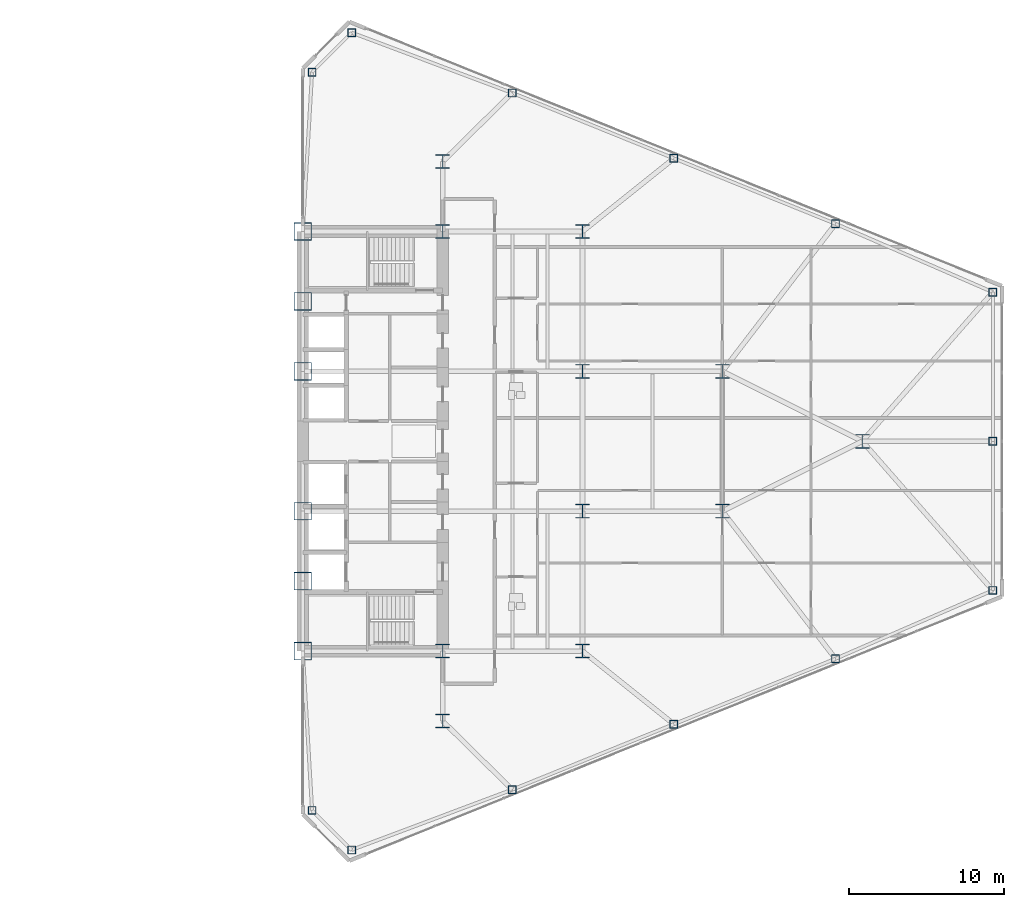
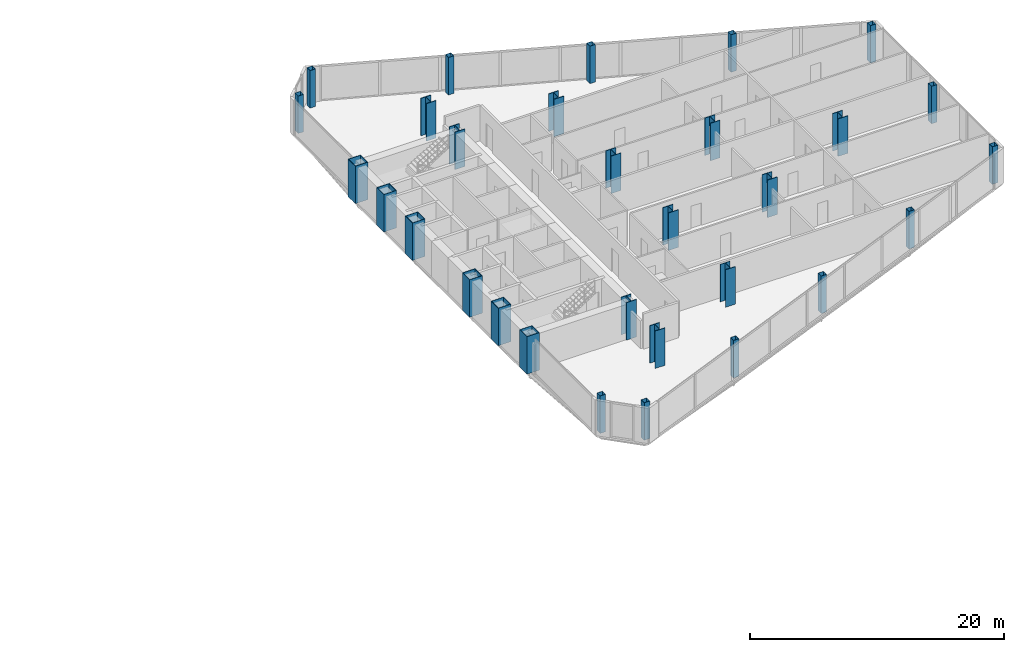
# One storey, part 2 of 25: 30 columns.
"""IFC4 building model written with IfcOpenShell, lengths in metres."""

from ifc_helpers import new_model, si_unit, direction, frame, origin, origin_2d, place, context, subcontext, project, spatial, hollow_rectangle, i_section, extrude, source, transform, mapped, material, material_profile, profile_set, type_object, type_shapes, element, save


model = new_model("IFC4")

# Units and contexts
model_context = context("Model", 3, precision=1e-05, world=origin(), true_north=direction((0.0, 1.0)))
body_context = subcontext(model_context, "Body", "Model", "MODEL_VIEW")
ifc_project = project(units=[si_unit("LENGTHUNIT", "METRE"), si_unit("AREAUNIT", "SQUARE_METRE"), si_unit("VOLUMEUNIT", "CUBIC_METRE"), si_unit("PLANEANGLEUNIT", "RADIAN"), si_unit("MASSUNIT", "GRAM", prefix="KILO")], contexts=[model_context])

# Site, building, storey
site_placement = place(None, origin())
site = spatial("IfcSite", under=ifc_project, at=site_placement, CompositionType="ELEMENT")
building_placement = place(site_placement, origin())
building = spatial("IfcBuilding", under=site, at=building_placement, Name="Seokmaru Belvedere", CompositionType="ELEMENT")
storey_placement = place(building_placement, frame((0.0, 0.0, 47.699951171875)))
storey = spatial("IfcBuildingStorey", under=building, at=storey_placement, Name="L12", CompositionType="ELEMENT", Elevation=47.699951171875)

# Columns
ifc_material_1 = material(Name="Steel HSA650 (650 MPa)", Category="steel")
ifc_material_profile_1 = material_profile(ifc_material_1, hollow_rectangle(XDim=1.14990234375, YDim=1.14990234375, WallThickness=0.048095703125, at=origin_2d()), Name="BOX-1150x1150x48")
ifc_profile_set_1 = profile_set([ifc_material_profile_1], Name="Steel HSA650 (650 MPa)")
column_type_1 = type_object("IfcColumnType", Name="Portal Spine Column BOX-1150", PredefinedType="COLUMN", material=ifc_profile_set_1)
shared_shape_1 = source(origin(), body_context, "Body", "SweptSolid", [
    extrude(hollow_rectangle(XDim=1.14990234375, YDim=1.14990234375, WallThickness=0.048095703125, at=origin_2d()), origin(), (0.0, 0.0, 1.0), 3.60009765625),
])
type_shapes(column_type_1, [shared_shape_1])
for number, where, z_axis, x_axis, name in (
    (1, (27.5, -13.5, 0.0), (0.0, 0.0, 1.0), (1.0, 0.0, 0.0), "L12 Column ES1"),
    (2, (27.5, -9.0, 0.0), (0.0, 0.0, 1.0), (1.0, 0.0, 0.0), "L12 Column ES2"),
    (3, (27.5, -4.5, 0.0), (0.0, 0.0, 1.0), (1.0, 0.0, 0.0), "L12 Column ES3"),
    (4, (27.5, 4.5, 0.0), (0.0, 0.0, 1.0), (1.0, 0.0, 0.0), "L12 Column ES4"),
    (5, (27.5, 9.0, 0.0), (0.0, 0.0, 1.0), (1.0, 0.0, 0.0), "L12 Column ES5"),
    (6, (27.5, 13.5, 0.0), (0.0, 0.0, 1.0), (1.0, 0.0, 0.0), "L12 Column ES6"),
):
    element("IfcColumn", number, at=place(storey_placement, frame(where, z_axis=z_axis, x_axis=x_axis)), inside=storey, type_object=column_type_1, Name=name, PredefinedType="COLUMN", context=body_context, shape_type="MappedRepresentation", body=[
        mapped(shared_shape_1, transform((0.0, 0.0, 0.0), scale=1.0)),
    ])
ifc_material_profile_2 = material_profile(ifc_material_1, i_section(OverallWidth=0.89990234375, OverallDepth=0.89990234375, WebThickness=0.035888671875, FlangeThickness=0.054931640625, at=origin_2d()), Name="H-900x900x36x55")
ifc_profile_set_2 = profile_set([ifc_material_profile_2], Name="Steel HSA650 (650 MPa)")
column_type_2 = type_object("IfcColumnType", Name="Lower Interior Column H-900", PredefinedType="COLUMN", material=ifc_profile_set_2)
shared_shape_2 = source(origin(), body_context, "Body", "SweptSolid", [
    extrude(i_section(OverallWidth=0.89990234375, OverallDepth=0.89990234375, WebThickness=0.035888671875, FlangeThickness=0.054931640625, at=origin_2d()), origin(), (0.0, 0.0, 1.0), 3.60009765625),
])
type_shapes(column_type_2, [shared_shape_2])
for number, where, z_axis, x_axis, name in (
    (7, (36.5, -18.0, 0.0), (0.0, 0.0, 1.0), (1.0, 0.0, 0.0), "L12 Column EC1"),
    (8, (36.5, -13.5, 0.0), (0.0, 0.0, 1.0), (1.0, 0.0, 0.0), "L12 Column EC2"),
    (9, (36.5, 13.5, 0.0), (0.0, 0.0, 1.0), (1.0, 0.0, 0.0), "L12 Column EC3"),
    (10, (36.5, 18.0, 0.0), (0.0, 0.0, 1.0), (1.0, 0.0, 0.0), "L12 Column EC4"),
    (11, (45.5, -13.5, 0.0), (0.0, 0.0, 1.0), (1.0, 0.0, 0.0), "L12 Column EG5_1"),
    (12, (45.5, -4.5, 0.0), (0.0, 0.0, 1.0), (1.0, 0.0, 0.0), "L12 Column EG5_2"),
    (13, (45.5, 4.5, 0.0), (0.0, 0.0, 1.0), (1.0, 0.0, 0.0), "L12 Column EG5_3"),
    (14, (45.5, 13.5, 0.0), (0.0, 0.0, 1.0), (1.0, 0.0, 0.0), "L12 Column EG5_4"),
    (15, (54.5, -4.5, 0.0), (0.0, 0.0, 1.0), (1.0, 0.0, 0.0), "L12 Column EG4P_1"),
    (16, (54.5, 4.5, 0.0), (0.0, 0.0, 1.0), (1.0, 0.0, 0.0), "L12 Column EG4P_2"),
    (17, (63.5, 0.0, 0.0), (0.0, 0.0, 1.0), (1.0, 0.0, 0.0), "L12 Column EG3P_1"),
):
    element("IfcColumn", number, at=place(storey_placement, frame(where, z_axis=z_axis, x_axis=x_axis)), inside=storey, type_object=column_type_2, Name=name, PredefinedType="COLUMN", context=body_context, shape_type="MappedRepresentation", body=[
        mapped(shared_shape_2, transform((0.0, 0.0, 0.0), scale=1.0)),
    ])
ifc_material_2 = material(Name="Steel SM355 (355 MPa)", Category="steel")
ifc_material_profile_3 = material_profile(ifc_material_2, hollow_rectangle(XDim=0.5, YDim=0.5, WallThickness=0.02001953125, at=origin_2d()), Name="HSS-500x500x20")
ifc_profile_set_3 = profile_set([ifc_material_profile_3], Name="Steel SM355 (355 MPa)")
column_type_3 = type_object("IfcColumnType", Name="Perimeter Facet Column HSS-500", PredefinedType="COLUMN", material=ifc_profile_set_3)
shared_shape_3 = source(origin(), body_context, "Body", "SweptSolid", [
    extrude(hollow_rectangle(XDim=0.5, YDim=0.5, WallThickness=0.02001953125, at=origin_2d()), origin(), (0.0, 0.0, 1.0), 3.60009765625),
])
type_shapes(column_type_3, [shared_shape_3])
for number, where, z_axis, x_axis, name in (
    (18, (30.643310546875, -26.294677734375, 0.0), (0.0, 0.0, 1.0), (1.0, 0.0, 0.0), "L12 Column EF1"),
    (19, (71.89990234375, -9.595703125, 0.0), (0.0, 0.0, 1.0), (1.0, 0.0, 0.0), "L12 Column EF2"),
    (20, (71.89990234375, 9.595703125, 0.0), (0.0, 0.0, 1.0), (1.0, 0.0, 0.0), "L12 Column EF3"),
    (21, (30.643310546875, 26.294677734375, 0.0), (0.0, 0.0, 1.0), (1.0, 0.0, 0.0), "L12 Column EF4"),
    (22, (28.10009765625, 23.75146484375, 0.0), (0.0, 0.0, 1.0), (1.0, 0.0, 0.0), "L12 Column EF5"),
    (23, (28.10009765625, -23.75146484375, 0.0), (0.0, 0.0, 1.0), (1.0, 0.0, 0.0), "L12 Column EF6"),
    (24, (40.977294921875, -22.4140625, 0.0), (0.0, 0.0, 1.0), (1.0, 0.0, 0.0), "L12 Column EFLK_S1"),
    (25, (51.378173828125, -18.2041015625, 0.0), (0.0, 0.0, 1.0), (1.0, 0.0, 0.0), "L12 Column EFLK_S2"),
    (26, (61.779052734375, -13.994140625, 0.0), (0.0, 0.0, 1.0), (1.0, 0.0, 0.0), "L12 Column EFLK_S3"),
    (27, (40.977294921875, 22.4140625, 0.0), (0.0, 0.0, 1.0), (1.0, 0.0, 0.0), "L12 Column EFLK_N1"),
    (28, (51.378173828125, 18.2041015625, 0.0), (0.0, 0.0, 1.0), (1.0, 0.0, 0.0), "L12 Column EFLK_N2"),
    (29, (61.779052734375, 13.994140625, 0.0), (0.0, 0.0, 1.0), (1.0, 0.0, 0.0), "L12 Column EFLK_N3"),
    (30, (71.89990234375, 0.0, 0.0), (0.0, 0.0, 1.0), (1.0, 0.0, 0.0), "L12 Column EF_APXM"),
):
    element("IfcColumn", number, at=place(storey_placement, frame(where, z_axis=z_axis, x_axis=x_axis)), inside=storey, type_object=column_type_3, Name=name, PredefinedType="COLUMN", context=body_context, shape_type="MappedRepresentation", body=[
        mapped(shared_shape_3, transform((0.0, 0.0, 0.0), scale=1.0)),
    ])

save(model, "model.ifc")
